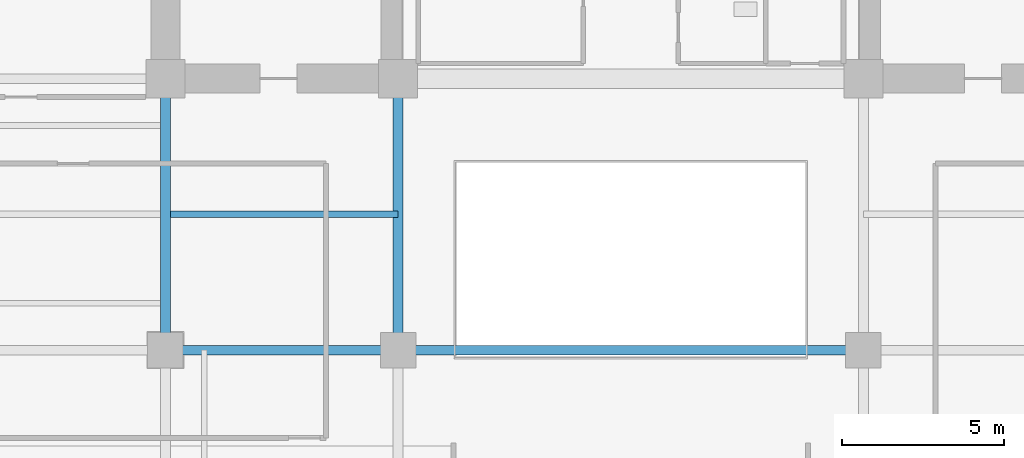
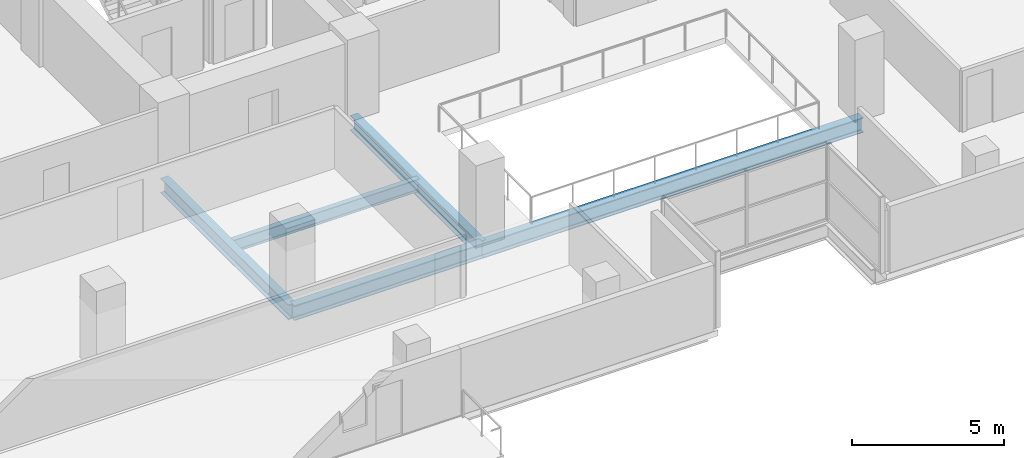
# One storey, part 4 of 31: 5 beams.
"""IFC4 building model written with IfcOpenShell, lengths in metres."""

from ifc_helpers import new_model, si_unit, direction, frame, origin, origin_2d, place, context, subcontext, project, spatial, i_section, extrude, material, material_profile, profile_set, type_object, element, save


model = new_model("IFC4")

# Units and contexts
model_context = context("Model", 3, precision=1e-05, world=origin(), true_north=direction((0.0, 1.0)))
body_context = subcontext(model_context, "Body", "Model", "MODEL_VIEW")
ifc_project = project(units=[si_unit("LENGTHUNIT", "METRE"), si_unit("AREAUNIT", "SQUARE_METRE"), si_unit("VOLUMEUNIT", "CUBIC_METRE"), si_unit("PLANEANGLEUNIT", "RADIAN"), si_unit("MASSUNIT", "GRAM", prefix="KILO")], contexts=[model_context])

# Site, building, storey
site_placement = place(None, origin())
site = spatial("IfcSite", under=ifc_project, at=site_placement, CompositionType="ELEMENT")
building_placement = place(site_placement, origin())
building = spatial("IfcBuilding", under=site, at=building_placement, Name="Zarnakvel Exchange Tower", CompositionType="ELEMENT")
storey_placement = place(building_placement, frame((0.0, 0.0, 60.39990234375)))
storey = spatial("IfcBuildingStorey", under=building, at=storey_placement, Name="L16", CompositionType="ELEMENT", Elevation=60.39990234375)

# Beams
ifc_material = material(Name="Steel S355", Category="steel")
ifc_material_profile_1 = material_profile(ifc_material, i_section(OverallWidth=0.199951171875, OverallDepth=0.5, WebThickness=0.01025390625, FlangeThickness=0.01611328125, FilletRadius=0.02099609375, at=origin_2d()))
ifc_profile_set_1 = profile_set([ifc_material_profile_1], Name="Steel S355")
beam_type_1 = type_object("IfcBeamType", Name="B-04", PredefinedType="JOIST", material=ifc_profile_set_1)
beam_1_placement = place(storey_placement, frame((-14.25, -5.39990234375, -0.474853515625), z_axis=(1.0, 0.0, 0.0), x_axis=(0.0, 1.0, 0.0)))
element("IfcBeam", 1, at=beam_1_placement, inside=storey, type_object=beam_type_1, Name="L16 Composite Floor Secondary Joist", PredefinedType="JOIST", context=body_context, shape_type="SweptSolid", body=[
    extrude(i_section(OverallWidth=0.199951171875, OverallDepth=0.5, WebThickness=0.01025390625, FlangeThickness=0.01611328125, FilletRadius=0.02099609375, at=origin_2d()), origin(), (0.0, 0.0, 1.0), 7.050048828125),
])
ifc_material_profile_2 = material_profile(ifc_material, i_section(OverallWidth=0.300048828125, OverallDepth=0.60009765625, WebThickness=0.015380859375, FlangeThickness=0.030029296875, FilletRadius=0.027099609375, at=origin_2d()))
ifc_profile_set_2 = profile_set([ifc_material_profile_2], Name="Steel S355")
beam_type_2 = type_object("IfcBeamType", Name="G-04", PredefinedType="BEAM", material=ifc_profile_set_2)
beam_2_placement = place(storey_placement, frame((-14.39990234375, -9.60009765625, -0.52490234375), z_axis=(1.0, 0.0, 0.0), x_axis=(0.0, 1.0, 0.0)))
element("IfcBeam", 2, at=beam_2_placement, inside=storey, type_object=beam_type_2, Name="L16 Tower E-W Frame Beam", PredefinedType="BEAM", context=body_context, shape_type="SweptSolid", body=[
    extrude(i_section(OverallWidth=0.300048828125, OverallDepth=0.60009765625, WebThickness=0.015380859375, FlangeThickness=0.030029296875, FilletRadius=0.027099609375, at=origin_2d()), origin(), (0.0, 0.0, 1.0), 7.199951171875),
])
beam_3_placement = place(storey_placement, frame((-7.199951171875, -9.60009765625, -0.52490234375), z_axis=(1.0, 0.0, 0.0), x_axis=(0.0, 1.0, 0.0)))
element("IfcBeam", 3, at=beam_3_placement, inside=storey, type_object=beam_type_2, Name="L16 Tower E-W Frame Beam", PredefinedType="BEAM", context=body_context, shape_type="SweptSolid", body=[
    extrude(i_section(OverallWidth=0.300048828125, OverallDepth=0.60009765625, WebThickness=0.015380859375, FlangeThickness=0.030029296875, FilletRadius=0.027099609375, at=origin_2d()), origin(), (0.0, 0.0, 1.0), 14.39990234375),
])
for number, where, z_axis, x_axis, name in (
    (4, (-14.39990234375, -9.60009765625, -0.52490234375), (0.0, 1.0, 0.0), (-1.0, 0.0, 0.0), "L16 Tower N-S Frame Beam"),
    (5, (-7.199951171875, -9.60009765625, -0.52490234375), (0.0, 1.0, 0.0), (-1.0, 0.0, 0.0), "L16 Tower N-S Frame Beam"),
):
    element("IfcBeam", number, at=place(storey_placement, frame(where, z_axis=z_axis, x_axis=x_axis)), inside=storey, type_object=beam_type_2, Name=name, PredefinedType="BEAM", context=body_context, shape_type="SweptSolid", body=[
        extrude(i_section(OverallWidth=0.300048828125, OverallDepth=0.60009765625, WebThickness=0.015380859375, FlangeThickness=0.030029296875, FilletRadius=0.027099609375, at=origin_2d()), origin(), (0.0, 0.0, 1.0), 8.400146484375),
    ])

save(model, "model.ifc")
